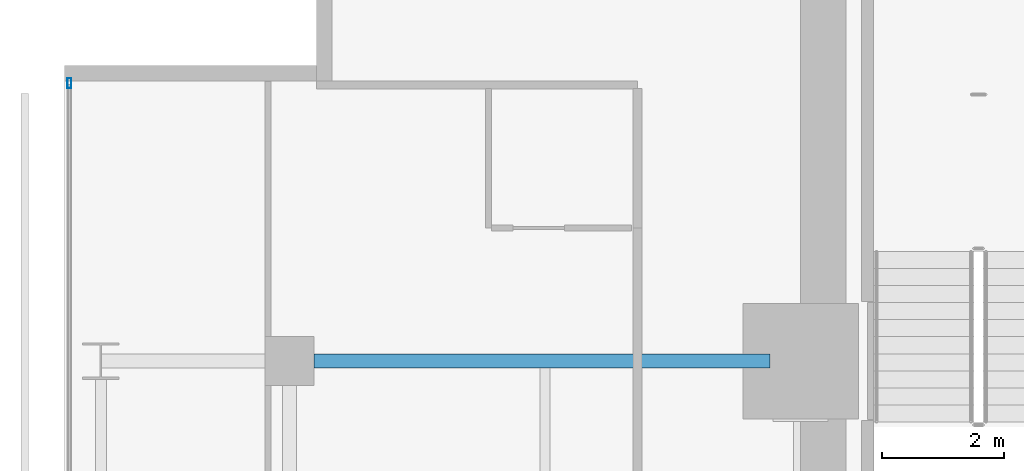
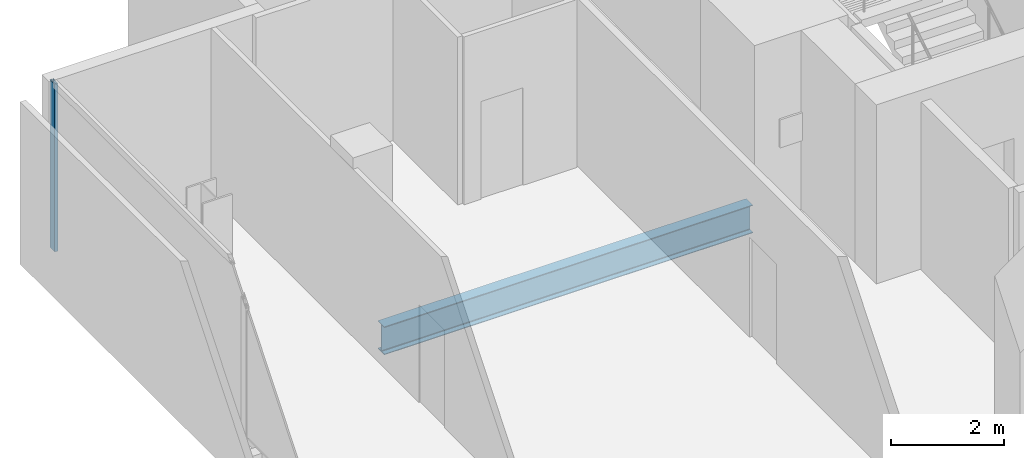
# One storey, part 20 of 32: 1 beam, 1 member, 1 element without a shape of its own.
"""IFC4 building model written with IfcOpenShell, lengths in metres."""

from ifc_helpers import new_model, si_unit, direction, frame, origin, origin_2d, place, context, subcontext, project, spatial, hollow_rectangle, i_section, extrude, material, layer, layer_set, material_profile, profile_set, type_object, element, aggregate, save


model = new_model("IFC4")

# Units and contexts
model_context = context("Model", 3, precision=1e-05, world=origin(), true_north=direction((0.0, 1.0)))
body_context = subcontext(model_context, "Body", "Model", "MODEL_VIEW")
ifc_project = project(units=[si_unit("LENGTHUNIT", "METRE"), si_unit("AREAUNIT", "SQUARE_METRE"), si_unit("VOLUMEUNIT", "CUBIC_METRE"), si_unit("PLANEANGLEUNIT", "RADIAN"), si_unit("MASSUNIT", "GRAM", prefix="KILO")], contexts=[model_context])

# Site, building, storey
site_placement = place(None, origin())
site = spatial("IfcSite", under=ifc_project, at=site_placement, CompositionType="ELEMENT")
building_placement = place(site_placement, origin())
building = spatial("IfcBuilding", under=site, at=building_placement, Name="Maruvema Waterfront Hotel and Observation Tower", CompositionType="ELEMENT")
storey_placement = place(building_placement, frame((0.0, 0.0, 165.89990234375)))
storey = spatial("IfcBuildingStorey", under=building, at=storey_placement, Name="L40", CompositionType="ELEMENT", Elevation=165.89990234375)

# Curtain wall, member
ifc_material_1 = material(Name="Anodised bronze aluminium and solar-control low-E IGU", Category="aluminium")
ifc_layer = layer(ifc_material_1, 0.159912109375, Name="Zone 2 Amber Inner Thermal Curtain Wall System CW-03")
ifc_layer_set = layer_set([ifc_layer], Name="Anodised bronze aluminium and solar-control low-E IGU")
curtain_wall_type = type_object("IfcCurtainWallType", Name="Zone 2 Amber Inner Thermal Curtain Wall System CW-03", PredefinedType="USERDEFINED", material=ifc_layer_set)
curtain_wall_placement = place(storey_placement, origin())
curtain_wall = element("IfcCurtainWall", 1, at=curtain_wall_placement, inside=storey, type_object=curtain_wall_type, Name="L40 Curtain Wall CW-L40-W", ObjectType="UNITISED CURTAIN WALL", PredefinedType="USERDEFINED")
ifc_material_2 = material(Name="Anodised architectural bronze aluminium", Category="aluminium")
ifc_material_profile_1 = material_profile(ifc_material_2, hollow_rectangle(XDim=0.06494140625, YDim=0.1650390625, WallThickness=0.00390625, at=origin_2d()), Name="ALU-M65x165")
ifc_profile_set_1 = profile_set([ifc_material_profile_1], Name="Anodised architectural bronze aluminium")
member_type = type_object("IfcMemberType", Name="Curtain Wall Primary Mullion ALU-M65x165", PredefinedType="MULLION", material=ifc_profile_set_1)
member_placement = place(storey_placement, frame((13.179931640625, 49.570068359375, 0.0), z_axis=(0.0, 0.0, 1.0), x_axis=(1.0, 0.0, 0.0)))
member = element("IfcMember", 2, at=member_placement, type_object=member_type, Name="CW-03 mullion 1", PredefinedType="MULLION", context=body_context, shape_type="SweptSolid", body=[
    extrude(hollow_rectangle(XDim=0.06494140625, YDim=0.1650390625, WallThickness=0.00390625, at=origin_2d()), origin(), (0.0, 0.0, 1.0), 3.610107421875),
])
aggregate(curtain_wall, [member])

# Beam
ifc_material_3 = material(Name="Steel ASTM A572 Grade 50", Category="steel")
ifc_material_profile_2 = material_profile(ifc_material_3, i_section(OverallWidth=0.22802734375, OverallDepth=0.60302734375, WebThickness=0.010498046875, FlangeThickness=0.014892578125, FilletRadius=0.01806640625, at=origin_2d()), Name="W610x101.0")
ifc_profile_set_2 = profile_set([ifc_material_profile_2], Name="Steel ASTM A572 Grade 50")
beam_type = type_object("IfcBeamType", Name="Primary Floor Girder W610x101.0", PredefinedType="BEAM", material=ifc_profile_set_2)
beam_placement = place(storey_placement, frame((17.199951171875, 45.0, -0.54150390625), z_axis=(1.0, 0.0, 0.0), x_axis=(0.0, 1.0, 0.0)))
element("IfcBeam", 3, at=beam_placement, inside=storey, type_object=beam_type, Name="L40 Floor Girder EW-31", PredefinedType="BEAM", context=body_context, shape_type="SweptSolid", body=[
    extrude(i_section(OverallWidth=0.22802734375, OverallDepth=0.60302734375, WebThickness=0.010498046875, FlangeThickness=0.014892578125, FilletRadius=0.01806640625, at=origin_2d()), origin(), (0.0, 0.0, 1.0), 7.5),
])

save(model, "model.ifc")
